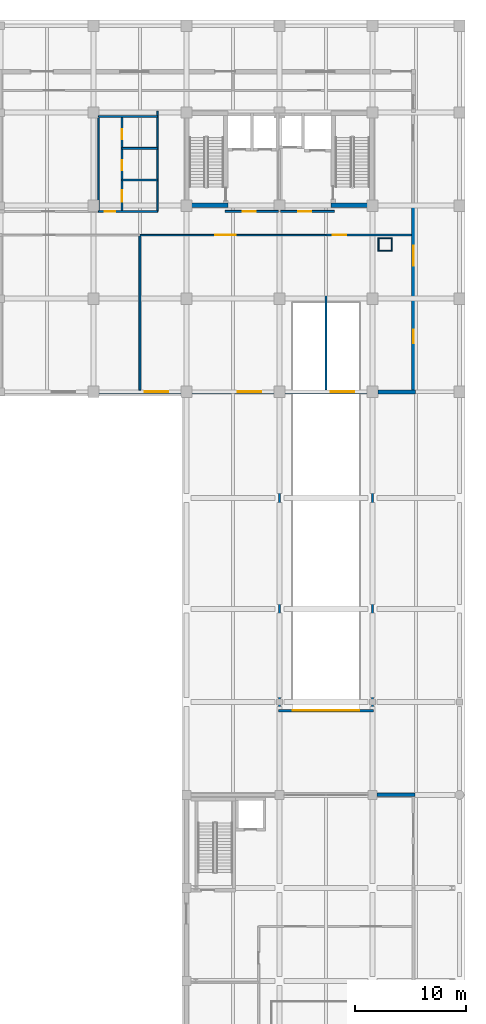
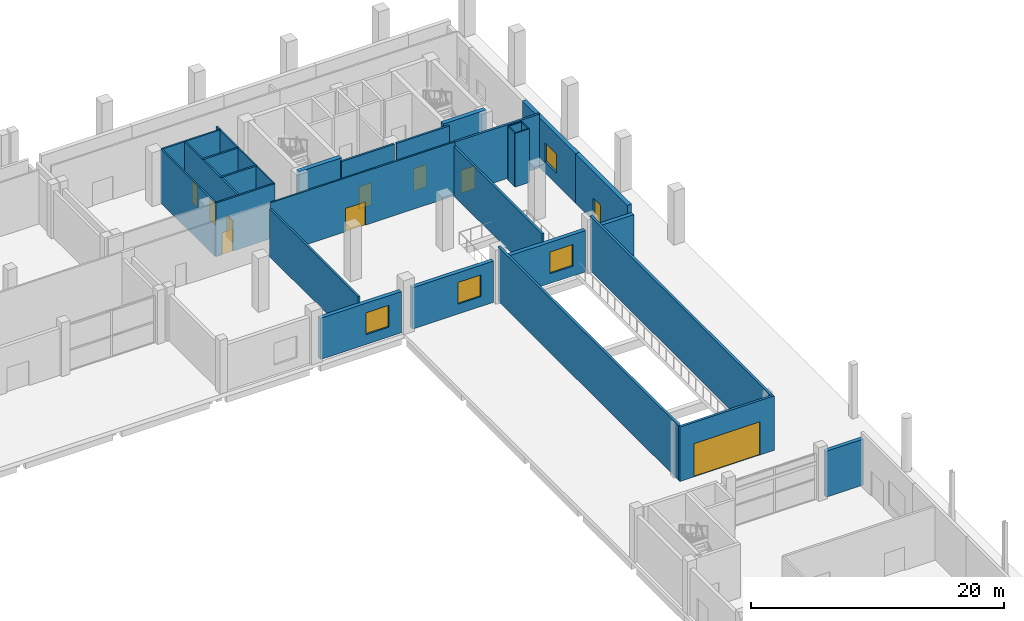
# One storey, part 24 of 34: 29 walls, 10 doors, 4 windows, 14 openings.
"""IFC4 building model written with IfcOpenShell, lengths in metres."""

import ifcopenshell
import ifcopenshell.guid

model = None  # the IFC model being written
_history = None  # IfcOwnerHistory: only IFC2X3 demands one
_inside = {}  # id of a spatial element -> (the spatial element, [elements in it])
_under = {}  # id of a project, library or spatial element -> (it, [spatial elements below it])
_declared = {}  # id of a project -> (the project, [libraries it declares])
_typed = {}  # id of a type object -> (the type object, [elements of that type])
_made_of = {}  # id of a material, layer set ... -> (it, [elements and type objects made of it])


def new_model(schema):
    """Start an empty IFC model of exactly this schema.

    Asked for "IFC4X3", IfcOpenShell would pick the latest addendum, in which some entities
    have other attributes; the version numbers below select the first issue.
    IFC2X3 requires an IfcOwnerHistory on every rooted entity: one is made here for all.
    """
    global model, _history
    if schema == "IFC4X3":
        model = ifcopenshell.file(schema_version=(4, 3, 0, 0))
    else:
        model = ifcopenshell.file(schema=schema)
    _inside.clear()
    _under.clear()
    _declared.clear()
    _typed.clear()
    _made_of.clear()
    _history = None
    if model.schema == "IFC2X3":
        org = make("IfcOrganization", Name="unknown")
        user = make(
            "IfcPersonAndOrganization",
            ThePerson=make("IfcPerson", FamilyName="unknown"),
            TheOrganization=org,
        )
        app = make(
            "IfcApplication",
            ApplicationDeveloper=org,
            Version="unknown",
            ApplicationFullName="unknown",
            ApplicationIdentifier="unknown",
        )
        _history = make(
            "IfcOwnerHistory",
            OwningUser=user,
            OwningApplication=app,
            ChangeAction="ADDED",
            CreationDate=0,
        )
    return model


def make(cls, **values):
    """One entity of the class cls with the attributes given. An attribute that is None is left unset."""
    return model.create_entity(
        cls, **{name: value for name, value in values.items() if value is not None}
    )


def rooted(cls, **values):
    """An entity with a GlobalId (a new one), such as an element, a storey or a relation."""
    return make(cls, GlobalId=ifcopenshell.guid.new(), OwnerHistory=_history, **values)


def si_unit(unit_type, name, prefix=None):
    """IfcSIUnit, for example si_unit("LENGTHUNIT", "METRE", prefix="MILLI")."""
    return make("IfcSIUnit", UnitType=unit_type, Prefix=prefix, Name=name)


def assignment(units):
    """IfcUnitAssignment: the units of a project."""
    return None if units is None else make("IfcUnitAssignment", Units=units)


def point(xyz):
    """IfcCartesianPoint."""
    return None if xyz is None else make("IfcCartesianPoint", Coordinates=xyz)


def direction(xyz):
    """IfcDirection."""
    return None if xyz is None else make("IfcDirection", DirectionRatios=xyz)


def frame(location, z_axis=None, x_axis=None):
    """IfcAxis2Placement3D, a coordinate frame: its origin and axes. An axis left out is left unset."""
    return make(
        "IfcAxis2Placement3D",
        Location=point(location),
        Axis=direction(z_axis),
        RefDirection=direction(x_axis),
    )


def frame_2d(location, x_axis=None):
    """IfcAxis2Placement2D, a coordinate frame in the plane: its origin and x axis."""
    return make(
        "IfcAxis2Placement2D", Location=point(location), RefDirection=direction(x_axis)
    )


def origin():
    """The frame at (0, 0, 0) with its axes left unset."""
    return frame((0.0, 0.0, 0.0))


def place(relative_to, where):
    """IfcLocalPlacement: puts the frame where relative to a parent placement (None: the world)."""
    return make(
        "IfcLocalPlacement", PlacementRelTo=relative_to, RelativePlacement=where
    )


def context(
    kind, dimensions, precision=None, world=None, true_north=None, identifier=None
):
    """IfcGeometricRepresentationContext, for example the 3D "Model" context."""
    return make(
        "IfcGeometricRepresentationContext",
        ContextIdentifier=identifier,
        ContextType=kind,
        CoordinateSpaceDimension=dimensions,
        Precision=precision,
        WorldCoordinateSystem=world,
        TrueNorth=true_north,
    )


def subcontext(parent, identifier, kind, view, scale=None):
    """IfcGeometricRepresentationSubContext, for example "Body" below "Model"."""
    return make(
        "IfcGeometricRepresentationSubContext",
        ContextIdentifier=identifier,
        ContextType=kind,
        ParentContext=parent,
        TargetScale=scale,
        TargetView=view,
    )


def project(units=None, contexts=None):
    """IfcProject with its units and contexts."""
    return rooted(
        "IfcProject",
        Name="project",
        RepresentationContexts=contexts,
        UnitsInContext=assignment(units),
    )


def spatial(cls, under=None, at=None, **own):
    """A site, building, storey or space (cls), placed at a placement, below another one or the project."""
    s = rooted(cls, ObjectPlacement=at, **own)
    if under is not None:
        _under.setdefault(under.id(), (under, []))[1].append(s)
    return s


def profile(cls, at=None, kind="AREA", **sizes):
    """A parametric profile (cls). Its sizes go by their IFC names, for example OverallWidth=200.0."""
    return make(cls, ProfileType=kind, Position=at, **sizes)


def rectangle(**sizes):
    """IfcRectangleProfileDef."""
    return profile("IfcRectangleProfileDef", **sizes)


def extrude(swept, where, along, depth):
    """IfcExtrudedAreaSolid: the profile swept, set in the frame where, extruded along a direction by depth."""
    return make(
        "IfcExtrudedAreaSolid",
        SweptArea=swept,
        Position=where,
        ExtrudedDirection=direction(along),
        Depth=depth,
    )


def shape(context_of_items, identifier, shape_type, items):
    """IfcShapeRepresentation: the items that make up one representation, for example the "Body"."""
    return make(
        "IfcShapeRepresentation",
        ContextOfItems=context_of_items,
        RepresentationIdentifier=identifier,
        RepresentationType=shape_type,
        Items=items,
    )


def material(Name=None, Category=None):
    """IfcMaterial."""
    return make("IfcMaterial", Name=Name, Category=Category)


def layer(
    of_material, thickness, ventilated=None, Name=None, Category=None, Priority=None
):
    """IfcMaterialLayer: one layer of a wall or slab, of a material (None: an air gap)."""
    return make(
        "IfcMaterialLayer",
        Material=of_material,
        LayerThickness=thickness,
        IsVentilated=ventilated,
        Name=Name,
        Category=Category,
        Priority=Priority,
    )


def layer_set(layers, Name=None):
    """IfcMaterialLayerSet."""
    return make("IfcMaterialLayerSet", MaterialLayers=layers, LayerSetName=Name)


def made_of(thing, what):
    """Note that an element or type object is made of a material, layer set ...; save() writes the relation."""
    if what is not None:
        _made_of.setdefault(what.id(), (what, []))[1].append(thing)
    return thing


def type_object(cls, material=None, **own):
    """A type object (cls), such as IfcWallType, which elements share."""
    return made_of(rooted(cls, **own), material)


def element(
    cls,
    number,
    at=None,
    inside=None,
    cuts=None,
    type_object=None,
    material=None,
    context=None,
    identifier="Body",
    shape_type=None,
    held_by="IfcProductDefinitionShape",
    body=None,
    shapes=None,
    **own,
):
    """One element of the class cls, such as IfcWall. Its Tag is "e" and its number.

    at: its placement. inside: the storey or other place that contains it. cuts: it is an
    opening in that element (IfcRelVoidsElement). A single representation is given by context,
    identifier, shape_type and body (its items); several are given by shapes. held_by: the class
    of the entity that holds the representations. save() writes the other relations.
    """
    e = rooted(cls, Tag="e%d" % number, ObjectPlacement=at, **own)
    if body is not None:
        shapes = [shape(context, identifier, shape_type, body)]
    if shapes is not None:
        e.Representation = make(held_by, Representations=shapes)
    if inside is not None:
        _inside.setdefault(inside.id(), (inside, []))[1].append(e)
    if cuts is not None:
        rooted(
            "IfcRelVoidsElement", RelatingBuildingElement=cuts, RelatedOpeningElement=e
        )
    if type_object is not None:
        _typed.setdefault(type_object.id(), (type_object, []))[1].append(e)
    return made_of(e, material)


def fill(opening, filler):
    """IfcRelFillsElement: the door or window that sits in an opening."""
    return rooted(
        "IfcRelFillsElement",
        RelatingOpeningElement=opening,
        RelatedBuildingElement=filler,
    )


def aggregate(whole, parts):
    """IfcRelAggregates: a whole, such as a stair, and the parts it consists of."""
    return rooted("IfcRelAggregates", RelatingObject=whole, RelatedObjects=parts)


def save(model, path):
    """Write the relations noted so far, then the file.

    IfcRelAggregates (storeys below a building ...), IfcRelContainedInSpatialStructure (elements
    in a storey), IfcRelDefinesByType, IfcRelAssociatesMaterial and IfcRelDeclares: one each for
    every whole, place, type object, material and project.
    """
    for whole, parts in _under.values():
        aggregate(whole, parts)
    for where, things in _inside.values():
        rooted(
            "IfcRelContainedInSpatialStructure",
            RelatedElements=things,
            RelatingStructure=where,
        )
    for kind, things in _typed.values():
        rooted("IfcRelDefinesByType", RelatedObjects=things, RelatingType=kind)
    for what, things in _made_of.values():
        rooted("IfcRelAssociatesMaterial", RelatedObjects=things, RelatingMaterial=what)
    for by, libraries in _declared.values():
        rooted("IfcRelDeclares", RelatingContext=by, RelatedDefinitions=libraries)
    model.write(path)


model = new_model("IFC4")

# Units and contexts
model_context = context("Model", 3, precision=1e-05, world=origin(), true_north=direction((0.0, 1.0)))
body_context = subcontext(model_context, "Body", "Model", "MODEL_VIEW")
ifc_project = project(units=[si_unit("LENGTHUNIT", "METRE"), si_unit("AREAUNIT", "SQUARE_METRE"), si_unit("VOLUMEUNIT", "CUBIC_METRE"), si_unit("PLANEANGLEUNIT", "RADIAN"), si_unit("MASSUNIT", "GRAM", prefix="KILO")], contexts=[model_context])

# Site, building, storey
site_placement = place(None, origin())
site = spatial("IfcSite", under=ifc_project, at=site_placement, CompositionType="ELEMENT")
building_placement = place(site_placement, origin())
building = spatial("IfcBuilding", under=site, at=building_placement, Name="Brinegate Botanical Conservatory", CompositionType="ELEMENT")
storey_placement = place(building_placement, origin())
storey = spatial("IfcBuildingStorey", under=building, at=storey_placement, Name="L01", CompositionType="ELEMENT", Elevation=0.0)

# Wall
ifc_material_1 = material(Name="Insulated Minnan red clay brick masonry", Category="masonry")
ifc_layer_1 = layer(ifc_material_1, 0.340087890625, Name="Insulated Minnan red clay brick masonry", Category="masonry")
ifc_layer_set_1 = layer_set([ifc_layer_1], Name="Insulated Minnan red clay brick masonry")
wall_type_1 = type_object("IfcWallType", Name="Wall_EW-340B", PredefinedType="STANDARD", material=ifc_layer_set_1)
wall_1_placement = place(storey_placement, frame((156.0, 42.0, 0.0), z_axis=(0.0, 0.0, 1.0), x_axis=(1.0, 0.0, 0.0)))
element("IfcWall", 1, at=wall_1_placement, inside=storey, type_object=wall_type_1, Name="Auditorium north court wall L01.3", PredefinedType="STANDARD", context=body_context, shape_type="SweptSolid", body=[
    extrude(rectangle(XDim=3.419921875, YDim=0.340087890625, at=frame_2d((1.7099609375, 0.0))), origin(), (0.0, 0.0, 1.0), 4.429931640625),
])

# Wall, opening, window
ifc_layer_2 = layer(ifc_material_1, 0.360107421875, Name="Insulated Minnan red clay brick masonry", Category="masonry")
ifc_layer_set_2 = layer_set([ifc_layer_2], Name="Insulated Minnan red clay brick masonry")
wall_type_2 = type_object("IfcWallType", Name="Wall_EW-360B", PredefinedType="STANDARD", material=ifc_layer_set_2)
wall_2_placement = place(storey_placement, frame((138.300048828125, 78.39990234375, 0.0), z_axis=(0.0, 0.0, 1.0), x_axis=(-1.0, 0.0, 0.0)))
wall_2 = element("IfcWall", 2, at=wall_2_placement, inside=storey, type_object=wall_type_2, Name="Tower south facade wall L01.2", PredefinedType="STANDARD", context=body_context, shape_type="SweptSolid", body=[
    extrude(rectangle(XDim=7.400146484375, YDim=0.360107421875, at=frame_2d((3.7001953125, 0.0))), origin(), (0.0, 0.0, 1.0), 3.97998046875),
])
opening_1_placement = place(wall_2_placement, frame((1.14990234375, 0.0, 0.949951171875)))
opening_1 = element("IfcOpeningElement", 3, at=opening_1_placement, cuts=wall_2, Name="Opening WN-02", PredefinedType="OPENING", context=body_context, shape_type="SweptSolid", body=[
    extrude(rectangle(XDim=2.10009765625, YDim=2.10009765625, at=frame_2d((1.050048828125, 1.050048828125))), frame((0.0, 0.18994140625, 0.0), z_axis=(0.0, -1.0, 0.0), x_axis=(1.0, 0.0, 0.0)), (0.0, 0.0, 1.0), 0.380126953125),
])
ifc_material_2 = material(Name="Thermally broken aluminium-framed Low-E glass", Category="aluminium")
window_type_1 = type_object("IfcWindowType", Name="Win_WN-02", PartitioningType="DOUBLE_PANEL_VERTICAL", PredefinedType="WINDOW", material=ifc_material_2)
window_1_placement = place(opening_1_placement, origin())
window_1 = element("IfcWindow", 4, at=window_1_placement, inside=storey, type_object=window_type_1, Name="Tower south window L01.2", OverallHeight=2.10009765625, OverallWidth=2.10009765625, PartitioningType="DOUBLE_PANEL_VERTICAL", PredefinedType="WINDOW", context=body_context, shape_type="SweptSolid", body=[
    extrude(rectangle(XDim=2.10009765625, YDim=2.10009765625, at=frame_2d((1.050048828125, 1.050048828125))), frame((0.0, 0.030029296875, 0.0), z_axis=(0.0, -1.0, 0.0), x_axis=(1.0, 0.0, 0.0)), (0.0, 0.0, 1.0), 0.06005859375),
])
fill(opening_1, window_1)

wall_3_placement = place(storey_placement, frame((146.699951171875, 78.39990234375, 0.0), z_axis=(0.0, 0.0, 1.0), x_axis=(-1.0, 0.0, 0.0)))
wall_3 = element("IfcWall", 5, at=wall_3_placement, inside=storey, type_object=wall_type_2, Name="Tower south facade wall L01.3", PredefinedType="STANDARD", context=body_context, shape_type="SweptSolid", body=[
    extrude(rectangle(XDim=7.39990234375, YDim=0.360107421875, at=frame_2d((3.699951171875, 0.0))), origin(), (0.0, 0.0, 1.0), 3.97998046875),
])
opening_2_placement = place(wall_3_placement, frame((1.14990234375, 0.0, 0.949951171875)))
opening_2 = element("IfcOpeningElement", 6, at=opening_2_placement, cuts=wall_3, Name="Opening WN-02", PredefinedType="OPENING", context=body_context, shape_type="SweptSolid", body=[
    extrude(rectangle(XDim=2.10009765625, YDim=2.10009765625, at=frame_2d((1.050048828125, 1.050048828125))), frame((0.0, 0.18994140625, 0.0), z_axis=(0.0, -1.0, 0.0), x_axis=(1.0, 0.0, 0.0)), (0.0, 0.0, 1.0), 0.380126953125),
])
window_2_placement = place(opening_2_placement, origin())
window_2 = element("IfcWindow", 7, at=window_2_placement, inside=storey, type_object=window_type_1, Name="Tower south window L01.3", OverallHeight=2.10009765625, OverallWidth=2.10009765625, PartitioningType="DOUBLE_PANEL_VERTICAL", PredefinedType="WINDOW", context=body_context, shape_type="SweptSolid", body=[
    extrude(rectangle(XDim=2.10009765625, YDim=2.10009765625, at=frame_2d((1.050048828125, 1.050048828125))), frame((0.0, 0.030029296875, 0.0), z_axis=(0.0, -1.0, 0.0), x_axis=(1.0, 0.0, 0.0)), (0.0, 0.0, 1.0), 0.06005859375),
])
fill(opening_2, window_2)

wall_4_placement = place(storey_placement, frame((155.10009765625, 78.39990234375, 0.0), z_axis=(0.0, 0.0, 1.0), x_axis=(-1.0, 0.0, 0.0)))
wall_4 = element("IfcWall", 8, at=wall_4_placement, inside=storey, type_object=wall_type_2, Name="Tower south facade wall L01.4", PredefinedType="STANDARD", context=body_context, shape_type="SweptSolid", body=[
    extrude(rectangle(XDim=7.400146484375, YDim=0.360107421875, at=frame_2d((3.7001953125, 0.0))), origin(), (0.0, 0.0, 1.0), 3.97998046875),
])
opening_3_placement = place(wall_4_placement, frame((1.14990234375, 0.0, 0.949951171875)))
opening_3 = element("IfcOpeningElement", 9, at=opening_3_placement, cuts=wall_4, Name="Opening WN-02", PredefinedType="OPENING", context=body_context, shape_type="SweptSolid", body=[
    extrude(rectangle(XDim=2.10009765625, YDim=2.10009765625, at=frame_2d((1.050048828125, 1.050048828125))), frame((0.0, 0.18994140625, 0.0), z_axis=(0.0, -1.0, 0.0), x_axis=(1.0, 0.0, 0.0)), (0.0, 0.0, 1.0), 0.380126953125),
])
window_3_placement = place(opening_3_placement, origin())
window_3 = element("IfcWindow", 10, at=window_3_placement, inside=storey, type_object=window_type_1, Name="Tower south window L01.4", OverallHeight=2.10009765625, OverallWidth=2.10009765625, PartitioningType="DOUBLE_PANEL_VERTICAL", PredefinedType="WINDOW", context=body_context, shape_type="SweptSolid", body=[
    extrude(rectangle(XDim=2.10009765625, YDim=2.10009765625, at=frame_2d((1.050048828125, 1.050048828125))), frame((0.0, 0.030029296875, 0.0), z_axis=(0.0, -1.0, 0.0), x_axis=(1.0, 0.0, 0.0)), (0.0, 0.0, 1.0), 0.06005859375),
])
fill(opening_3, window_3)

# Wall
wall_5_placement = place(storey_placement, frame((159.489990234375, 78.39990234375, 0.0), z_axis=(0.0, 0.0, 1.0), x_axis=(-1.0, 0.0, 0.0)))
element("IfcWall", 11, at=wall_5_placement, inside=storey, type_object=wall_type_2, Name="Tower south facade wall L01.5", PredefinedType="STANDARD", context=body_context, shape_type="SweptSolid", body=[
    extrude(rectangle(XDim=3.389892578125, YDim=0.360107421875, at=frame_2d((1.69482421875, 0.0))), origin(), (0.0, 0.0, 1.0), 3.97998046875),
])

# Wall, opening, window
wall_6_placement = place(storey_placement, frame((159.300048828125, 95.199951171875, 0.0), z_axis=(0.0, 0.0, 1.0), x_axis=(0.0, -1.0, 0.0)))
wall_6 = element("IfcWall", 12, at=wall_6_placement, inside=storey, type_object=wall_type_2, Name="Tower east brick wall L01.2", PredefinedType="STANDARD", context=body_context, shape_type="SweptSolid", body=[
    extrude(rectangle(XDim=8.39990234375, YDim=0.360107421875, at=frame_2d((4.199951171875, 0.0))), origin(), (0.0, 0.0, 1.0), 4.780029296875),
])
opening_4_placement = place(wall_6_placement, frame((3.60009765625, 0.0, 1.10009765625)))
opening_4 = element("IfcOpeningElement", 13, at=opening_4_placement, cuts=wall_6, Name="Opening WN-05", PredefinedType="OPENING", context=body_context, shape_type="SweptSolid", body=[
    extrude(rectangle(XDim=1.800048828125, YDim=1.800048828125, at=frame_2d((0.89990234375, 0.89990234375))), frame((0.0, 0.18994140625, 0.0), z_axis=(0.0, -1.0, 0.0), x_axis=(1.0, 0.0, 0.0)), (0.0, 0.0, 1.0), 0.380126953125),
])
window_type_2 = type_object("IfcWindowType", Name="Win_WN-05", PartitioningType="DOUBLE_PANEL_VERTICAL", PredefinedType="WINDOW", material=ifc_material_2)
window_4_placement = place(opening_4_placement, origin())
window_4 = element("IfcWindow", 14, at=window_4_placement, inside=storey, type_object=window_type_2, Name="Tower east window L01.2", OverallHeight=1.800048828125, OverallWidth=1.800048828125, PartitioningType="DOUBLE_PANEL_VERTICAL", PredefinedType="WINDOW", context=body_context, shape_type="SweptSolid", body=[
    extrude(rectangle(XDim=1.800048828125, YDim=1.800048828125, at=frame_2d((0.89990234375, 0.89990234375))), frame((0.0, 0.030029296875, 0.0), z_axis=(0.0, -1.0, 0.0), x_axis=(1.0, 0.0, 0.0)), (0.0, 0.0, 1.0), 0.06005859375),
])
fill(opening_4, window_4)

# Wall, opening, door
ifc_material_3 = material(Name="Fujian grey granite ashlar masonry", Category="masonry")
ifc_layer_3 = layer(ifc_material_3, 0.3798828125, Name="Fujian grey granite ashlar masonry", Category="masonry")
ifc_layer_set_3 = layer_set([ifc_layer_3], Name="Fujian grey granite ashlar masonry")
wall_type_3 = type_object("IfcWallType", Name="Wall_EW-380G", PredefinedType="SOLIDWALL", material=ifc_layer_set_3)
wall_7_placement = place(storey_placement, frame((159.300048828125, 86.800048828125, 0.0), z_axis=(0.0, 0.0, 1.0), x_axis=(0.0, -1.0, 0.0)))
wall_7 = element("IfcWall", 15, at=wall_7_placement, inside=storey, type_object=wall_type_3, Name="Fire Control Room east exterior wall", PredefinedType="SOLIDWALL", context=body_context, shape_type="SweptSolid", body=[
    extrude(rectangle(XDim=8.219970703125, YDim=0.3798828125, at=frame_2d((4.10986328125, 0.0))), origin(), (0.0, 0.0, 1.0), 4.780029296875),
])
opening_5_placement = place(wall_7_placement, frame((2.800048828125, 0.0, 0.0)))
opening_5 = element("IfcOpeningElement", 16, at=opening_5_placement, cuts=wall_7, Name="Opening EX-FC", PredefinedType="OPENING", context=body_context, shape_type="SweptSolid", body=[
    extrude(rectangle(XDim=1.199951171875, YDim=2.199951171875, at=frame_2d((0.60009765625, 1.10009765625))), frame((0.0, 0.199951171875, 0.0), z_axis=(0.0, -1.0, 0.0), x_axis=(1.0, 0.0, 0.0)), (0.0, 0.0, 1.0), 0.39990234375),
])
ifc_material_4 = material(Name="Anodised aluminium and laminated safety glass", Category="aluminium")
door_type_1 = type_object("IfcDoorType", Name="Door_EX-FC", OperationType="NOTDEFINED", PredefinedType="DOOR", material=ifc_material_4)
door_1_placement = place(opening_5_placement, origin())
door_1 = element("IfcDoor", 17, at=door_1_placement, inside=storey, type_object=door_type_1, Name="DR-FCR-EXIT", OperationType="SINGLE_SWING_RIGHT", OverallHeight=2.199951171875, OverallWidth=1.199951171875, PredefinedType="DOOR", context=body_context, shape_type="SweptSolid", body=[
    extrude(rectangle(XDim=1.199951171875, YDim=2.199951171875, at=frame_2d((0.60009765625, 1.10009765625))), frame((0.0, 0.02490234375, 0.0), z_axis=(0.0, -1.0, 0.0), x_axis=(1.0, 0.0, 0.0)), (0.0, 0.0, 1.0), 0.050048828125),
])
fill(opening_5, door_1)

# Walls
ifc_material_5 = material(Name="Gypsum-clad steel-stud fire-rated shaft partition", Category="steel")
ifc_layer_4 = layer(ifc_material_5, 0.10498046875, Name="Gypsum-clad steel-stud fire-rated shaft partition", Category="steel")
ifc_layer_set_4 = layer_set([ifc_layer_4], Name="Gypsum-clad steel-stud fire-rated shaft partition")
wall_type_4 = type_object("IfcWallType", Name="Wall_PW-105", PredefinedType="PARTITIONING", material=ifc_layer_set_4)
for number, where, z_axis, x_axis, name in (
    (18, (156.094970703125, 91.1474609375, 0.0), (0.0, 0.0, 1.0), (1.0, 0.0, 0.0), "Service riser shaft wall L01 S"),
    (19, (156.094970703125, 92.25244140625, 0.0), (0.0, 0.0, 1.0), (1.0, 0.0, 0.0), "Service riser shaft wall L01 N"),
):
    element("IfcWall", number, at=place(storey_placement, frame(where, z_axis=z_axis, x_axis=x_axis)), inside=storey, type_object=wall_type_4, Name=name, PredefinedType="PARTITIONING", context=body_context, shape_type="SweptSolid", body=[
        extrude(rectangle(XDim=1.31005859375, YDim=0.10498046875, at=frame_2d((0.655029296875, 0.0))), origin(), (0.0, 0.0, 1.0), 5.179931640625),
    ])
for number, where, z_axis, x_axis, name in (
    (20, (156.1474609375, 91.199951171875, 0.0), (0.0, 0.0, 1.0), (0.0, 1.0, 0.0), "Service riser shaft wall L01 W"),
    (21, (157.3525390625, 91.199951171875, 0.0), (0.0, 0.0, 1.0), (0.0, 1.0, 0.0), "Service riser shaft wall L01 E"),
):
    element("IfcWall", number, at=place(storey_placement, frame(where, z_axis=z_axis, x_axis=x_axis)), inside=storey, type_object=wall_type_4, Name=name, PredefinedType="PARTITIONING", context=body_context, shape_type="SweptSolid", body=[
        extrude(rectangle(XDim=1.0, YDim=0.10498046875, at=frame_2d((0.5, 0.0))), origin(), (0.0, 0.0, 1.0), 5.179931640625),
    ])
ifc_material_6 = material(Name="Gypsum-clad steel-stud partition", Category="steel")
ifc_layer_5 = layer(ifc_material_6, 0.1201171875, Name="Gypsum-clad steel-stud partition", Category="steel")
ifc_layer_set_5 = layer_set([ifc_layer_5], Name="Gypsum-clad steel-stud partition")
wall_type_5 = type_object("IfcWallType", Name="Wall_PW-120", PredefinedType="PARTITIONING", material=ifc_layer_set_5)
wall_8_placement = place(storey_placement, frame((136.199951171875, 94.679931640625, 0.0), z_axis=(0.0, 0.0, 1.0), x_axis=(0.0, 1.0, 0.0)))
element("IfcWall", 22, at=wall_8_placement, inside=storey, type_object=wall_type_5, Name="Interior partition P-L01-XCORR-W", PredefinedType="PARTITIONING", context=body_context, shape_type="SweptSolid", body=[
    extrude(rectangle(XDim=9.070068359375, YDim=0.1201171875, at=frame_2d((4.53515625, 0.0))), origin(), (0.0, 0.0, 1.0), 5.179931640625),
])

# Wall, opening, door
ifc_material_7 = material(Name="Gypsum-clad acoustic steel-stud partition", Category="steel")
ifc_layer_6 = layer(ifc_material_7, 0.14501953125, Name="Gypsum-clad acoustic steel-stud partition", Category="steel")
ifc_layer_set_6 = layer_set([ifc_layer_6], Name="Gypsum-clad acoustic steel-stud partition")
wall_type_6 = type_object("IfcWallType", Name="Wall_PW-150", PredefinedType="PARTITIONING", material=ifc_layer_set_6)
wall_9_placement = place(storey_placement, frame((134.60009765625, 92.550048828125, 0.0), z_axis=(0.0, 0.0, 1.0), x_axis=(1.0, 0.0, 0.0)))
wall_9 = element("IfcWall", 23, at=wall_9_placement, inside=storey, type_object=wall_type_6, Name="Interior partition P-L01-SB-S2", PredefinedType="PARTITIONING", context=body_context, shape_type="SweptSolid", body=[
    extrude(rectangle(XDim=16.7998046875, YDim=0.14501953125, at=frame_2d((8.39990234375, 0.0))), origin(), (0.0, 0.0, 1.0), 5.179931640625),
])
opening_6_placement = place(wall_9_placement, frame((6.800048828125, 0.0, 0.0)))
opening_6 = element("IfcOpeningElement", 24, at=opening_6_placement, cuts=wall_9, Name="Opening DR-DBL1", PredefinedType="OPENING", context=body_context, shape_type="SweptSolid", body=[
    extrude(rectangle(XDim=1.85009765625, YDim=2.25, at=frame_2d((0.925048828125, 1.125))), frame((0.0, 0.08251953125, 0.0), z_axis=(0.0, -1.0, 0.0), x_axis=(1.0, 0.0, 0.0)), (0.0, 0.0, 1.0), 0.1650390625),
])
ifc_material_8 = material(Name="Anodised aluminium and safety glass", Category="aluminium")
door_type_2 = type_object("IfcDoorType", Name="Door_DR-DBL1", OperationType="NOTDEFINED", PredefinedType="DOOR", material=ifc_material_8)
door_2_placement = place(opening_6_placement, origin())
door_2 = element("IfcDoor", 25, at=door_2_placement, inside=storey, type_object=door_type_2, Name="DR-P-L01-SB-S2-1", OperationType="SINGLE_SWING_LEFT", OverallHeight=2.25, OverallWidth=1.85009765625, PredefinedType="DOOR", context=body_context, shape_type="SweptSolid", body=[
    extrude(rectangle(XDim=1.85009765625, YDim=2.25, at=frame_2d((0.925048828125, 1.125))), frame((0.0, 0.02490234375, 0.0), z_axis=(0.0, -1.0, 0.0), x_axis=(1.0, 0.0, 0.0)), (0.0, 0.0, 1.0), 0.050048828125),
])
fill(opening_6, door_2)

ifc_material_9 = material(Name="Moisture-resistant cement-board partition", Category="gypsum")
ifc_layer_7 = layer(ifc_material_9, 0.14990234375, Name="Moisture-resistant cement-board partition", Category="gypsum")
ifc_layer_set_7 = layer_set([ifc_layer_7], Name="Moisture-resistant cement-board partition")
wall_type_7 = type_object("IfcWallType", Name="Wall_PW-150W", PredefinedType="PARTITIONING", material=ifc_layer_set_7)
wall_10_placement = place(storey_placement, frame((130.85009765625, 94.679931640625, 0.0), z_axis=(0.0, 0.0, 1.0), x_axis=(1.0, 0.0, 0.0)))
wall_10 = element("IfcWall", 26, at=wall_10_placement, inside=storey, type_object=wall_type_7, Name="Interior partition P-L01-WCS", PredefinedType="PARTITIONING", context=body_context, shape_type="SweptSolid", body=[
    extrude(rectangle(XDim=5.349853515625, YDim=0.14990234375, at=frame_2d((2.6748046875, 0.0))), origin(), (0.0, 0.0, 1.0), 5.179931640625),
])
opening_7_placement = place(wall_10_placement, frame((0.550048828125, 0.0, 0.0)))
opening_7 = element("IfcOpeningElement", 27, at=opening_7_placement, cuts=wall_10, Name="Opening DR-03", PredefinedType="OPENING", context=body_context, shape_type="SweptSolid", body=[
    extrude(rectangle(XDim=0.97998046875, YDim=2.1201171875, at=frame_2d((0.489990234375, 1.06005859375))), frame((0.0, 0.0849609375, 0.0), z_axis=(0.0, -1.0, 0.0), x_axis=(1.0, 0.0, 0.0)), (0.0, 0.0, 1.0), 0.169921875),
])
ifc_material_10 = material(Name="Steel-core hardwood smoke-sealed fire door", Category="steel")
door_type_3 = type_object("IfcDoorType", Name="Door_DR-03", OperationType="NOTDEFINED", PredefinedType="DOOR", material=ifc_material_10)
door_3_placement = place(opening_7_placement, origin())
door_3 = element("IfcDoor", 28, at=door_3_placement, inside=storey, type_object=door_type_3, Name="DR-P-L01-WCS-1", OperationType="SINGLE_SWING_LEFT", OverallHeight=2.1201171875, OverallWidth=0.97998046875, PredefinedType="DOOR", context=body_context, shape_type="SweptSolid", body=[
    extrude(rectangle(XDim=0.97998046875, YDim=2.1201171875, at=frame_2d((0.489990234375, 1.06005859375))), frame((0.0, 0.02490234375, 0.0), z_axis=(0.0, -1.0, 0.0), x_axis=(1.0, 0.0, 0.0)), (0.0, 0.0, 1.0), 0.050048828125),
])
fill(opening_7, door_3)

# Wall, openings, doors
wall_11_placement = place(storey_placement, frame((132.97998046875, 94.679931640625, 0.0), z_axis=(0.0, 0.0, 1.0), x_axis=(0.0, 1.0, 0.0)))
wall_11 = element("IfcWall", 29, at=wall_11_placement, inside=storey, type_object=wall_type_7, Name="Interior partition P-L01-WCW", PredefinedType="PARTITIONING", context=body_context, shape_type="SweptSolid", body=[
    extrude(rectangle(XDim=8.570068359375, YDim=0.14990234375, at=frame_2d((4.28515625, 0.0))), origin(), (0.0, 0.0, 1.0), 5.179931640625),
])
opening_8_placement = place(wall_11_placement, frame((0.89990234375, 0.0, 0.0)))
opening_8 = element("IfcOpeningElement", 30, at=opening_8_placement, cuts=wall_11, Name="Opening DR-ACC", PredefinedType="OPENING", context=body_context, shape_type="SweptSolid", body=[
    extrude(rectangle(XDim=1.0, YDim=2.1201171875, at=frame_2d((0.5, 1.06005859375))), frame((0.0, 0.0849609375, 0.0), z_axis=(0.0, -1.0, 0.0), x_axis=(1.0, 0.0, 0.0)), (0.0, 0.0, 1.0), 0.169921875),
])
opening_9_placement = place(wall_11_placement, frame((3.699951171875, 0.0, 0.0)))
opening_9 = element("IfcOpeningElement", 31, at=opening_9_placement, cuts=wall_11, Name="Opening DR-04", PredefinedType="OPENING", context=body_context, shape_type="SweptSolid", body=[
    extrude(rectangle(XDim=0.919921875, YDim=2.10009765625, at=frame_2d((0.4599609375, 1.050048828125))), frame((0.0, 0.0849609375, 0.0), z_axis=(0.0, -1.0, 0.0), x_axis=(1.0, 0.0, 0.0)), (0.0, 0.0, 1.0), 0.169921875),
])
opening_10_placement = place(wall_11_placement, frame((6.5, 0.0, 0.0)))
opening_10 = element("IfcOpeningElement", 32, at=opening_10_placement, cuts=wall_11, Name="Opening DR-04", PredefinedType="OPENING", context=body_context, shape_type="SweptSolid", body=[
    extrude(rectangle(XDim=0.919921875, YDim=2.10009765625, at=frame_2d((0.4599609375, 1.050048828125))), frame((0.0, 0.0849609375, 0.0), z_axis=(0.0, -1.0, 0.0), x_axis=(1.0, 0.0, 0.0)), (0.0, 0.0, 1.0), 0.169921875),
])
ifc_material_11 = material(Name="Moisture-resistant laminate timber leaf", Category="wood")
door_type_4 = type_object("IfcDoorType", Name="Door_DR-04", OperationType="NOTDEFINED", PredefinedType="DOOR", material=ifc_material_11)
door_4_placement = place(opening_9_placement, origin())
door_4 = element("IfcDoor", 33, at=door_4_placement, inside=storey, type_object=door_type_4, Name="DR-P-L01-WCW-2", OperationType="SINGLE_SWING_LEFT", OverallHeight=2.10009765625, OverallWidth=0.919921875, PredefinedType="DOOR", context=body_context, shape_type="SweptSolid", body=[
    extrude(rectangle(XDim=0.919921875, YDim=2.10009765625, at=frame_2d((0.4599609375, 1.050048828125))), frame((0.0, 0.02490234375, 0.0), z_axis=(0.0, -1.0, 0.0), x_axis=(1.0, 0.0, 0.0)), (0.0, 0.0, 1.0), 0.050048828125),
])
fill(opening_9, door_4)
door_5_placement = place(opening_10_placement, origin())
door_5 = element("IfcDoor", 34, at=door_5_placement, inside=storey, type_object=door_type_4, Name="DR-P-L01-WCW-3", OperationType="SINGLE_SWING_RIGHT", OverallHeight=2.10009765625, OverallWidth=0.919921875, PredefinedType="DOOR", context=body_context, shape_type="SweptSolid", body=[
    extrude(rectangle(XDim=0.919921875, YDim=2.10009765625, at=frame_2d((0.4599609375, 1.050048828125))), frame((0.0, 0.02490234375, 0.0), z_axis=(0.0, -1.0, 0.0), x_axis=(1.0, 0.0, 0.0)), (0.0, 0.0, 1.0), 0.050048828125),
])
fill(opening_10, door_5)
ifc_material_12 = material(Name="Moisture-resistant barrier-free timber leaf", Category="wood")
door_type_5 = type_object("IfcDoorType", Name="Door_DR-ACC", OperationType="NOTDEFINED", PredefinedType="DOOR", material=ifc_material_12)
door_6_placement = place(opening_8_placement, origin())
door_6 = element("IfcDoor", 35, at=door_6_placement, inside=storey, type_object=door_type_5, Name="DR-P-L01-WCW-1", OperationType="SINGLE_SWING_RIGHT", OverallHeight=2.1201171875, OverallWidth=1.0, PredefinedType="DOOR", context=body_context, shape_type="SweptSolid", body=[
    extrude(rectangle(XDim=1.0, YDim=2.1201171875, at=frame_2d((0.5, 1.06005859375))), frame((0.0, 0.02490234375, 0.0), z_axis=(0.0, -1.0, 0.0), x_axis=(1.0, 0.0, 0.0)), (0.0, 0.0, 1.0), 0.050048828125),
])
fill(opening_8, door_6)

# Walls
wall_12_placement = place(storey_placement, frame((130.85009765625, 103.25, 0.0), z_axis=(0.0, 0.0, 1.0), x_axis=(1.0, 0.0, 0.0)))
element("IfcWall", 36, at=wall_12_placement, inside=storey, type_object=wall_type_7, Name="Interior partition P-L01-WCN", PredefinedType="PARTITIONING", context=body_context, shape_type="SweptSolid", body=[
    extrude(rectangle(XDim=5.349853515625, YDim=0.14990234375, at=frame_2d((2.6748046875, 0.0))), origin(), (0.0, 0.0, 1.0), 5.179931640625),
])
wall_13_placement = place(storey_placement, frame((130.85009765625, 94.679931640625, 0.0), z_axis=(0.0, 0.0, 1.0), x_axis=(0.0, 1.0, 0.0)))
element("IfcWall", 37, at=wall_13_placement, inside=storey, type_object=wall_type_7, Name="Interior partition P-L01-WCWW", PredefinedType="PARTITIONING", context=body_context, shape_type="SweptSolid", body=[
    extrude(rectangle(XDim=8.570068359375, YDim=0.14990234375, at=frame_2d((4.28515625, 0.0))), origin(), (0.0, 0.0, 1.0), 5.179931640625),
])
ifc_material_13 = material(Name="Gypsum-clad double-stud acoustic partition", Category="gypsum")
ifc_layer_8 = layer(ifc_material_13, 0.172119140625, Name="Gypsum-clad double-stud acoustic partition", Category="gypsum")
ifc_layer_set_8 = layer_set([ifc_layer_8], Name="Gypsum-clad double-stud acoustic partition")
wall_type_8 = type_object("IfcWallType", Name="Wall_PW-172", PredefinedType="PARTITIONING", material=ifc_layer_set_8)
for number, where, z_axis, x_axis, name in (
    (38, (132.97998046875, 97.52001953125, 0.0), (0.0, 0.0, 1.0), (1.0, 0.0, 0.0), "Interior partition P-L01-WCD-975"),
    (39, (132.97998046875, 100.3798828125, 0.0), (0.0, 0.0, 1.0), (1.0, 0.0, 0.0), "Interior partition P-L01-WCD-1003"),
):
    element("IfcWall", number, at=place(storey_placement, frame(where, z_axis=z_axis, x_axis=x_axis)), inside=storey, type_object=wall_type_8, Name=name, PredefinedType="PARTITIONING", context=body_context, shape_type="SweptSolid", body=[
        extrude(rectangle(XDim=3.219970703125, YDim=0.172119140625, at=frame_2d((1.60986328125, 0.0))), origin(), (0.0, 0.0, 1.0), 5.179931640625),
    ])
wall_14_placement = place(storey_placement, frame((134.60009765625, 78.550048828125, 0.0), z_axis=(0.0, 0.0, 1.0), x_axis=(0.0, 1.0, 0.0)))
element("IfcWall", 40, at=wall_14_placement, inside=storey, type_object=wall_type_8, Name="Interior partition P-L01-SDIV-S2", PredefinedType="PARTITIONING", context=body_context, shape_type="SweptSolid", body=[
    extrude(rectangle(XDim=14.0, YDim=0.172119140625, at=frame_2d((7.0, 0.0))), origin(), (0.0, 0.0, 1.0), 4.6298828125),
])

# Wall, opening, door
ifc_material_14 = material(Name="Autoclaved aerated concrete C40/50 blockwork", Category="masonry")
ifc_layer_9 = layer(ifc_material_14, 0.179931640625, Name="Autoclaved aerated concrete C40/50 blockwork", Category="masonry")
ifc_layer_set_9 = layer_set([ifc_layer_9], Name="Autoclaved aerated concrete C40/50 blockwork")
wall_type_9 = type_object("IfcWallType", Name="Wall_PW-180F", PredefinedType="STANDARD", material=ifc_layer_set_9)
wall_15_placement = place(storey_placement, frame((142.300048828125, 94.679931640625, 0.0), z_axis=(0.0, 0.0, 1.0), x_axis=(1.0, 0.0, 0.0)))
wall_15 = element("IfcWall", 41, at=wall_15_placement, inside=storey, type_object=wall_type_9, Name="Interior partition P-L01-CORE-FF", PredefinedType="STANDARD", context=body_context, shape_type="SweptSolid", body=[
    extrude(rectangle(XDim=4.800048828125, YDim=0.179931640625, at=frame_2d((2.39990234375, 0.0))), origin(), (0.0, 0.0, 1.0), 5.179931640625),
])
opening_11_placement = place(wall_15_placement, frame((1.60009765625, 0.0, 0.0)))
opening_11 = element("IfcOpeningElement", 42, at=opening_11_placement, cuts=wall_15, Name="Opening FD-B1", PredefinedType="OPENING", context=body_context, shape_type="SweptSolid", body=[
    extrude(rectangle(XDim=1.14990234375, YDim=2.14990234375, at=frame_2d((0.574951171875, 1.074951171875))), frame((0.0, 0.099853515625, 0.0), z_axis=(0.0, -1.0, 0.0), x_axis=(1.0, 0.0, 0.0)), (0.0, 0.0, 1.0), 0.199951171875),
])
ifc_material_15 = material(Name="Steel smoke-proof fire door assembly", Category="steel")
door_type_6 = type_object("IfcDoorType", Name="Door_FD-B1", OperationType="NOTDEFINED", PredefinedType="DOOR", material=ifc_material_15)
door_7_placement = place(opening_11_placement, origin())
door_7 = element("IfcDoor", 43, at=door_7_placement, inside=storey, type_object=door_type_6, Name="DR-P-L01-CORE-FF-1", OperationType="SINGLE_SWING_LEFT", OverallHeight=2.14990234375, OverallWidth=1.14990234375, PredefinedType="DOOR", context=body_context, shape_type="SweptSolid", body=[
    extrude(rectangle(XDim=1.14990234375, YDim=2.14990234375, at=frame_2d((0.574951171875, 1.074951171875))), frame((0.0, 0.02490234375, 0.0), z_axis=(0.0, -1.0, 0.0), x_axis=(1.0, 0.0, 0.0)), (0.0, 0.0, 1.0), 0.050048828125),
])
fill(opening_11, door_7)

wall_16_placement = place(storey_placement, frame((147.300048828125, 94.679931640625, 0.0), z_axis=(0.0, 0.0, 1.0), x_axis=(1.0, 0.0, 0.0)))
wall_16 = element("IfcWall", 44, at=wall_16_placement, inside=storey, type_object=wall_type_9, Name="Interior partition P-L01-CORE-PAX", PredefinedType="STANDARD", context=body_context, shape_type="SweptSolid", body=[
    extrude(rectangle(XDim=4.849853515625, YDim=0.179931640625, at=frame_2d((2.4248046875, 0.0))), origin(), (0.0, 0.0, 1.0), 5.179931640625),
])
opening_12_placement = place(wall_16_placement, frame((1.60009765625, 0.0, 0.0)))
opening_12 = element("IfcOpeningElement", 45, at=opening_12_placement, cuts=wall_16, Name="Opening FD-B1", PredefinedType="OPENING", context=body_context, shape_type="SweptSolid", body=[
    extrude(rectangle(XDim=1.14990234375, YDim=2.14990234375, at=frame_2d((0.574951171875, 1.074951171875))), frame((0.0, 0.099853515625, 0.0), z_axis=(0.0, -1.0, 0.0), x_axis=(1.0, 0.0, 0.0)), (0.0, 0.0, 1.0), 0.199951171875),
])
door_8_placement = place(opening_12_placement, origin())
door_8 = element("IfcDoor", 46, at=door_8_placement, inside=storey, type_object=door_type_6, Name="DR-P-L01-CORE-PAX-1", OperationType="SINGLE_SWING_RIGHT", OverallHeight=2.14990234375, OverallWidth=1.14990234375, PredefinedType="DOOR", context=body_context, shape_type="SweptSolid", body=[
    extrude(rectangle(XDim=1.14990234375, YDim=2.14990234375, at=frame_2d((0.574951171875, 1.074951171875))), frame((0.0, 0.02490234375, 0.0), z_axis=(0.0, -1.0, 0.0), x_axis=(1.0, 0.0, 0.0)), (0.0, 0.0, 1.0), 0.050048828125),
])
fill(opening_12, door_8)

ifc_layer_10 = layer(ifc_material_14, 0.199951171875, Name="Autoclaved aerated concrete C40/50 blockwork", Category="masonry")
ifc_layer_set_10 = layer_set([ifc_layer_10], Name="Autoclaved aerated concrete C40/50 blockwork")
wall_type_10 = type_object("IfcWallType", Name="Wall_PW-200F", PredefinedType="SOLIDWALL", material=ifc_layer_set_10)
wall_17_placement = place(storey_placement, frame((151.39990234375, 92.550048828125, 0.0), z_axis=(0.0, 0.0, 1.0), x_axis=(1.0, 0.0, 0.0)))
wall_17 = element("IfcWall", 47, at=wall_17_placement, inside=storey, type_object=wall_type_10, Name="Interior partition P-L01-SB-FCR", PredefinedType="SOLIDWALL", context=body_context, shape_type="SweptSolid", body=[
    extrude(rectangle(XDim=7.72021484375, YDim=0.199951171875, at=frame_2d((3.860107421875, 0.0))), origin(), (0.0, 0.0, 1.0), 5.179931640625),
])
opening_13_placement = place(wall_17_placement, frame((0.60009765625, 0.0, 0.0)))
opening_13 = element("IfcOpeningElement", 48, at=opening_13_placement, cuts=wall_17, Name="Opening FD-A1", PredefinedType="OPENING", context=body_context, shape_type="SweptSolid", body=[
    extrude(rectangle(XDim=1.25, YDim=2.199951171875, at=frame_2d((0.625, 1.10009765625))), frame((0.0, 0.10986328125, 0.0), z_axis=(0.0, -1.0, 0.0), x_axis=(1.0, 0.0, 0.0)), (0.0, 0.0, 1.0), 0.219970703125),
])
ifc_material_16 = material(Name="Steel fire-rated assembly", Category="steel")
door_type_7 = type_object("IfcDoorType", Name="Door_FD-A1", OperationType="NOTDEFINED", PredefinedType="DOOR", material=ifc_material_16)
door_9_placement = place(opening_13_placement, origin())
door_9 = element("IfcDoor", 49, at=door_9_placement, inside=storey, type_object=door_type_7, Name="DR-P-L01-SB-FCR-1", OperationType="SINGLE_SWING_RIGHT", OverallHeight=2.199951171875, OverallWidth=1.25, PredefinedType="DOOR", context=body_context, shape_type="SweptSolid", body=[
    extrude(rectangle(XDim=1.25, YDim=2.199951171875, at=frame_2d((0.625, 1.10009765625))), frame((0.0, 0.02490234375, 0.0), z_axis=(0.0, -1.0, 0.0), x_axis=(1.0, 0.0, 0.0)), (0.0, 0.0, 1.0), 0.050048828125),
])
fill(opening_13, door_9)

# Wall
wall_18_placement = place(storey_placement, frame((151.39990234375, 78.550048828125, 0.0), z_axis=(0.0, 0.0, 1.0), x_axis=(0.0, 1.0, 0.0)))
element("IfcWall", 50, at=wall_18_placement, inside=storey, type_object=wall_type_10, Name="Interior partition P-L01-SDIV-FCR", PredefinedType="SOLIDWALL", context=body_context, shape_type="SweptSolid", body=[
    extrude(rectangle(XDim=14.0, YDim=0.199951171875, at=frame_2d((7.0, 0.0))), origin(), (0.0, 0.0, 1.0), 4.780029296875),
])

# Wall, opening, door
ifc_material_17 = material(Name="Concrete C40/50", Category="concrete")
ifc_layer_11 = layer(ifc_material_17, 0.219970703125, Name="Concrete C40/50", Category="concrete")
ifc_layer_set_11 = layer_set([ifc_layer_11], Name="Concrete C40/50")
wall_type_11 = type_object("IfcWallType", Name="Wall_SW-220", PredefinedType="SHEAR", material=ifc_layer_set_11)
wall_19_placement = place(storey_placement, frame((155.7099609375, 49.60009765625, 0.0), z_axis=(0.0, 0.0, 1.0), x_axis=(-1.0, 0.0, 0.0)))
wall_19 = element("IfcWall", 51, at=wall_19_placement, inside=storey, type_object=wall_type_11, Name="Car park ramp portal south entrance wall", PredefinedType="SHEAR", context=body_context, shape_type="SweptSolid", body=[
    extrude(rectangle(XDim=8.619873046875, YDim=0.219970703125, at=frame_2d((4.31005859375, 0.0))), origin(), (0.0, 0.0, 1.0), 5.25),
])
opening_14_placement = place(wall_19_placement, frame((1.31005859375, 0.0, 0.0)))
opening_14 = element("IfcOpeningElement", 52, at=opening_14_placement, cuts=wall_19, Name="Opening VG-01", PredefinedType="OPENING", context=body_context, shape_type="SweptSolid", body=[
    extrude(rectangle(XDim=6.0, YDim=3.199951171875, at=frame_2d((3.0, 1.60009765625))), frame((0.0, 0.119873046875, 0.0), z_axis=(0.0, -1.0, 0.0), x_axis=(1.0, 0.0, 0.0)), (0.0, 0.0, 1.0), 0.239990234375),
])
ifc_material_18 = material(Name="Anodised aluminium insulated roller slats", Category="aluminium")
door_type_8 = type_object("IfcDoorType", Name="Door_VG-01", OperationType="ROLLINGUP", PredefinedType="DOOR", material=ifc_material_18)
door_10_placement = place(opening_14_placement, origin())
door_10 = element("IfcDoor", 53, at=door_10_placement, inside=storey, type_object=door_type_8, Name="DR-VG-01", OperationType="ROLLINGUP", OverallHeight=3.199951171875, OverallWidth=6.0, PredefinedType="DOOR", context=body_context, shape_type="SweptSolid", body=[
    extrude(rectangle(XDim=6.0, YDim=3.199951171875, at=frame_2d((3.0, 1.60009765625))), frame((0.0, 0.02490234375, 0.0), z_axis=(0.0, -1.0, 0.0), x_axis=(1.0, 0.0, 0.0)), (0.0, 0.0, 1.0), 0.050048828125),
])
fill(opening_14, door_10)

# Walls
for number, where, z_axis, x_axis, name in (
    (54, (147.199951171875, 49.7099609375, 0.0), (0.0, 0.0, 1.0), (0.0, 1.0, 0.0), "Car park ramp portal W enclosure wall"),
    (55, (155.60009765625, 78.219970703125, 0.0), (0.0, 0.0, 1.0), (0.0, -1.0, 0.0), "Car park ramp portal E enclosure wall"),
):
    element("IfcWall", number, at=place(storey_placement, frame(where, z_axis=z_axis, x_axis=x_axis)), inside=storey, type_object=wall_type_11, Name=name, PredefinedType="SHEAR", context=body_context, shape_type="SweptSolid", body=[
        extrude(rectangle(XDim=28.510009765625, YDim=0.219970703125, at=frame_2d((14.2548828125, 0.0))), origin(), (0.0, 0.0, 1.0), 5.25),
    ])
ifc_material_19 = material(Name="Concrete C50/60", Category="concrete")
ifc_layer_12 = layer(ifc_material_19, 0.39990234375, Name="Concrete C50/60", Category="concrete")
ifc_layer_set_12 = layer_set([ifc_layer_12], Name="Concrete C50/60")
wall_type_12 = type_object("IfcWallType", Name="Wall_SW-400", PredefinedType="SHEAR", material=ifc_layer_set_12)
wall_20_placement = place(storey_placement, frame((138.64990234375, 95.25, 0.0), z_axis=(0.0, 0.0, 1.0), x_axis=(1.0, 0.0, 0.0)))
element("IfcWall", 56, at=wall_20_placement, inside=storey, type_object=wall_type_12, Name="Stairwell ST1 shear wall L01 S", PredefinedType="SHEAR", context=body_context, shape_type="SweptSolid", body=[
    extrude(rectangle(XDim=3.900146484375, YDim=0.39990234375, at=frame_2d((1.9501953125, 0.0))), origin(), (0.0, 0.0, 1.0), 5.179931640625),
])
wall_21_placement = place(storey_placement, frame((151.85009765625, 95.25, 0.0), z_axis=(0.0, 0.0, 1.0), x_axis=(1.0, 0.0, 0.0)))
element("IfcWall", 57, at=wall_21_placement, inside=storey, type_object=wall_type_12, Name="Stairwell ST2 shear wall L01 S", PredefinedType="SHEAR", context=body_context, shape_type="SweptSolid", body=[
    extrude(rectangle(XDim=3.89990234375, YDim=0.39990234375, at=frame_2d((1.949951171875, 0.0))), origin(), (0.0, 0.0, 1.0), 5.179931640625),
])

save(model, "model.ifc")
